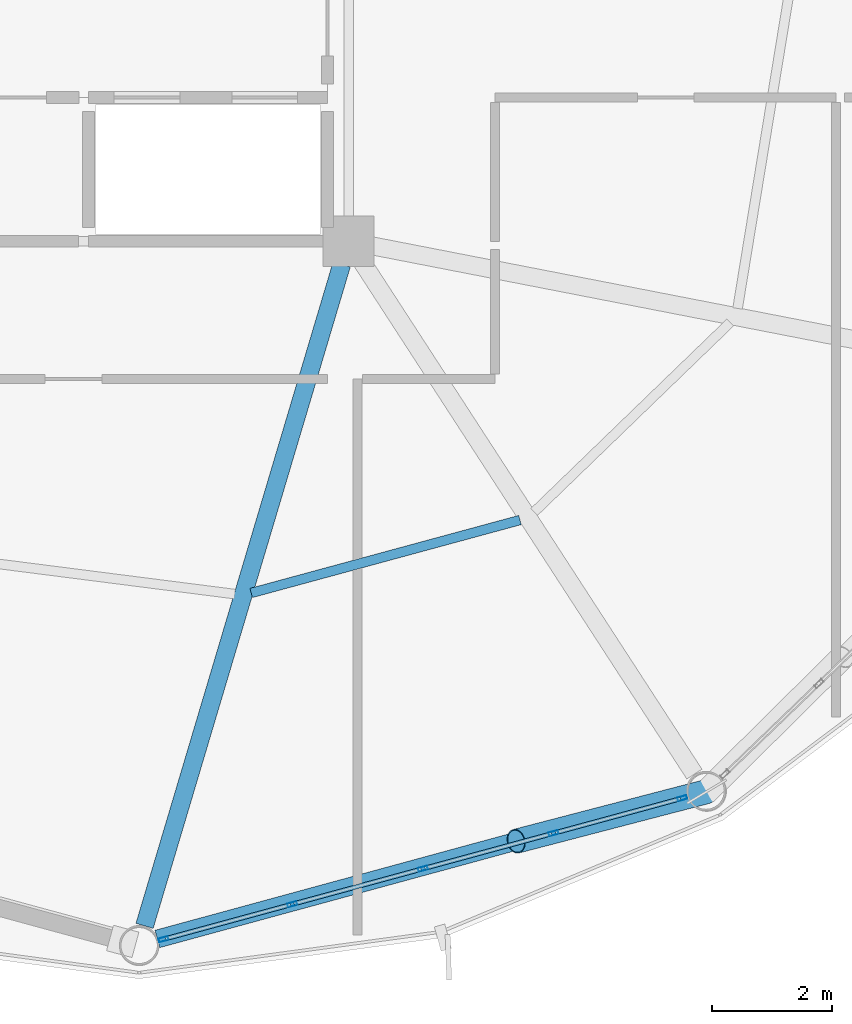
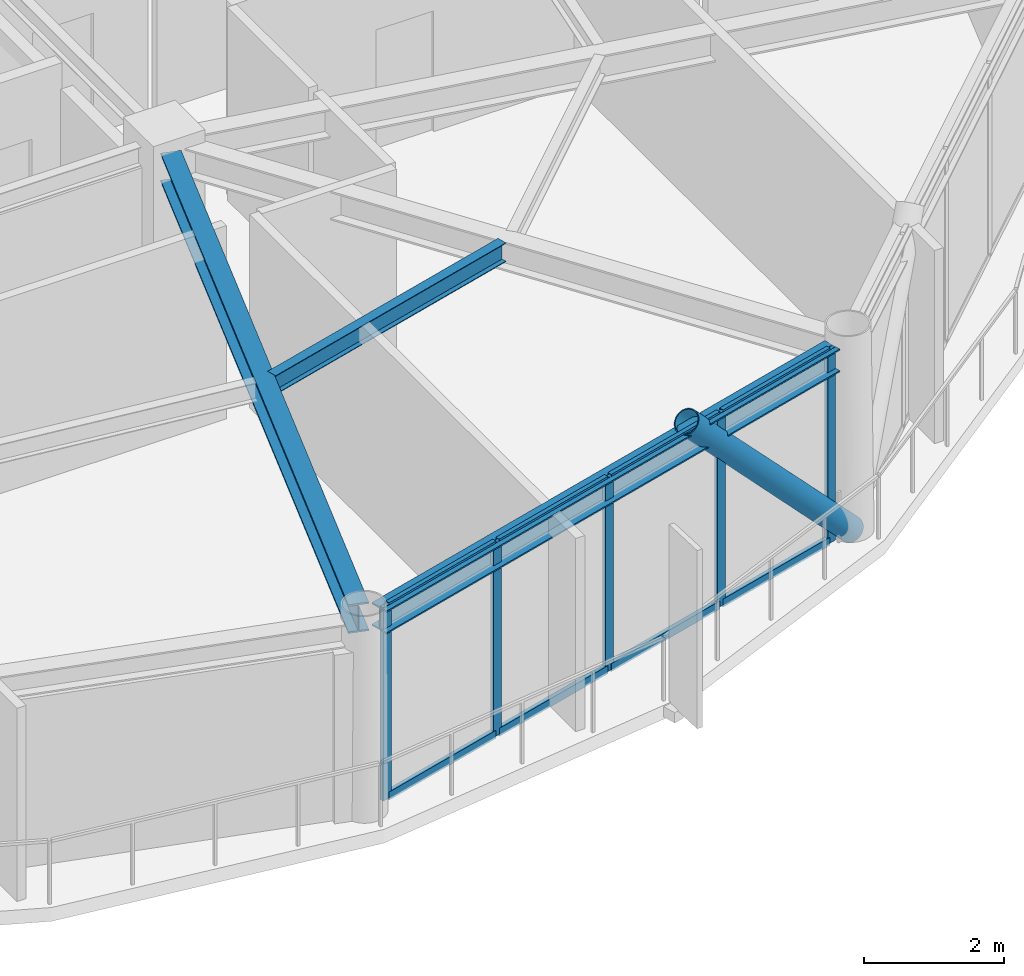
# One storey, part 7 of 28: 14 members, 3 beams, 1 element without a shape of its own.
"""IFC4 building model written with IfcOpenShell, lengths in metres."""

from ifc_helpers import new_model, si_unit, direction, frame, origin, origin_2d, place, context, subcontext, project, spatial, hollow_rectangle, hollow_circle, i_section, extrude, material, layer, layer_set, material_profile, profile_set, type_object, element, aggregate, save


model = new_model("IFC4")

# Units and contexts
model_context = context("Model", 3, precision=1e-05, world=origin(), true_north=direction((0.0, 1.0)))
body_context = subcontext(model_context, "Body", "Model", "MODEL_VIEW")
ifc_project = project(units=[si_unit("LENGTHUNIT", "METRE"), si_unit("AREAUNIT", "SQUARE_METRE"), si_unit("VOLUMEUNIT", "CUBIC_METRE"), si_unit("PLANEANGLEUNIT", "RADIAN"), si_unit("MASSUNIT", "GRAM", prefix="KILO")], contexts=[model_context])

# Site, building, storey
site_placement = place(None, origin())
site = spatial("IfcSite", under=ifc_project, at=site_placement, CompositionType="ELEMENT")
building_placement = place(site_placement, origin())
building = spatial("IfcBuilding", under=site, at=building_placement, Name="Varnakorn Sky Granary", CompositionType="ELEMENT")
storey_placement = place(building_placement, frame((0.0, 0.0, 214.800048828125)))
storey = spatial("IfcBuildingStorey", under=building, at=storey_placement, Name="L54", CompositionType="ELEMENT", Elevation=214.800048828125)

# Beams
ifc_material_1 = material(Name="Steel S355JR", Category="steel")
ifc_material_profile_1 = material_profile(ifc_material_1, i_section(OverallWidth=0.300048828125, OverallDepth=0.5, WebThickness=0.014404296875, FlangeThickness=0.028076171875, at=origin_2d()), Name="HE 500 B")
ifc_profile_set_1 = profile_set([ifc_material_profile_1], Name="Steel S355JR")
beam_type_1 = type_object("IfcBeamType", Name="BM-RAD-Z4", PredefinedType="BEAM", material=ifc_profile_set_1)
beam_1_placement = place(storey_placement, frame((8.234375, -6.988037109375, 3.10986328125), z_axis=(-0.2856172224, -0.958343780837, 0.0), x_axis=(0.958343780837, -0.2856172224, 0.0)))
element("IfcBeam", 1, at=beam_1_placement, inside=storey, type_object=beam_type_1, Name="Radial Floor Girder RG10 L54", PredefinedType="BEAM", context=body_context, shape_type="SweptSolid", body=[
    extrude(i_section(OverallWidth=0.300048828125, OverallDepth=0.5, WebThickness=0.014404296875, FlangeThickness=0.028076171875, at=origin_2d()), origin(), (0.0, 0.0, 1.0), 11.534423828125),
])
ifc_material_profile_2 = material_profile(ifc_material_1, i_section(OverallWidth=0.159912109375, OverallDepth=0.330078125, WebThickness=0.007568359375, FlangeThickness=0.011474609375, at=origin_2d()), Name="IPE 330")
ifc_profile_set_2 = profile_set([ifc_material_profile_2], Name="Steel S355JR")
beam_type_2 = type_object("IfcBeamType", Name="BM-SEC-Z4", PredefinedType="BEAM", material=ifc_profile_set_2)
beam_2_placement = place(storey_placement, frame((6.722412109375, -12.478515625, 3.195068359375), z_axis=(0.965088661336, 0.261923415831, 0.0), x_axis=(-0.261923415831, 0.965088661336, 0.0)))
element("IfcBeam", 2, at=beam_2_placement, inside=storey, type_object=beam_type_2, Name="Secondary Floor Chord Beam MSB10 L54", PredefinedType="BEAM", context=body_context, shape_type="SweptSolid", body=[
    extrude(i_section(OverallWidth=0.159912109375, OverallDepth=0.330078125, WebThickness=0.007568359375, FlangeThickness=0.011474609375, at=origin_2d()), origin(), (0.0, 0.0, 1.0), 4.655029296875),
])
ifc_material_profile_3 = material_profile(ifc_material_1, i_section(OverallWidth=0.300048828125, OverallDepth=0.39990234375, WebThickness=0.013427734375, FlangeThickness=0.02392578125, at=origin_2d()), Name="HE 400 B")
ifc_profile_set_3 = profile_set([ifc_material_profile_3], Name="Steel S355JR")
beam_type_3 = type_object("IfcBeamType", Name="BM-SPD-Z4", PredefinedType="SPANDREL", material=ifc_profile_set_3)
beam_3_placement = place(storey_placement, frame((5.15380859375, -18.26123046875, 3.159912109375), z_axis=(0.964843073533, 0.262826641449, 0.0), x_axis=(-0.262826641449, 0.964843073533, 0.0)))
element("IfcBeam", 3, at=beam_3_placement, inside=storey, type_object=beam_type_3, Name="Perimeter Spandrel Ring Beam RB10 L54", PredefinedType="SPANDREL", context=body_context, shape_type="SweptSolid", body=[
    extrude(i_section(OverallWidth=0.300048828125, OverallDepth=0.39990234375, WebThickness=0.013427734375, FlangeThickness=0.02392578125, at=origin_2d()), origin(), (0.0, 0.0, 1.0), 9.16552734375),
])

# Curtain wall, members
ifc_material_2 = material(Name="Anodised Bronze Aluminium Alloy 6063-T6", Category="aluminium")
ifc_layer = layer(ifc_material_2, 0.169921875, Name="Anodised Bronze Aluminium Alloy 6063-T6")
ifc_layer_set = layer_set([ifc_layer], Name="Anodised Bronze Aluminium Alloy 6063-T6")
curtain_wall_type = type_object("IfcCurtainWallType", Name="CW-LAB-1", PredefinedType="USERDEFINED", material=ifc_layer_set)
curtain_wall_placement = place(storey_placement, origin())
curtain_wall = element("IfcCurtainWall", 4, at=curtain_wall_placement, inside=storey, type_object=curtain_wall_type, Name="Unitised Curtain Wall CW5 CW-L54-B10", ObjectType="CURTAIN WALL", PredefinedType="USERDEFINED")
ifc_material_profile_4 = material_profile(ifc_material_2, hollow_rectangle(XDim=0.06494140625, YDim=0.159912109375, WallThickness=0.00341796875, at=origin_2d()), Name="ALU MULL 65x160")
ifc_profile_set_4 = profile_set([ifc_material_profile_4], Name="Anodised Bronze Aluminium Alloy 6063-T6")
member_type_1 = type_object("IfcMemberType", Name="CW-LAB-1-MULL", PredefinedType="MULLION", material=ifc_profile_set_4)
member_1_placement = place(storey_placement, frame((13.92724609375, -15.908935546875, 0.0), z_axis=(0.0, 0.0, 1.0), x_axis=(0.262380522882, -0.964964487021, 0.0)))
member_1 = element("IfcMember", 5, at=member_1_placement, type_object=member_type_1, Name="CW5 mullion 1", PredefinedType="MULLION", context=body_context, shape_type="SweptSolid", body=[
    extrude(hollow_rectangle(XDim=0.06494140625, YDim=0.159912109375, WallThickness=0.00341796875, at=origin_2d()), origin(), (0.0, 0.0, 1.0), 3.35986328125),
])
member_2_placement = place(storey_placement, frame((11.775634765625, -16.493896484375, 0.0), z_axis=(0.0, 0.0, 1.0), x_axis=(0.262380522882, -0.964964487021, 0.0)))
member_2 = element("IfcMember", 6, at=member_2_placement, type_object=member_type_1, Name="CW5 mullion 2", PredefinedType="MULLION", context=body_context, shape_type="SweptSolid", body=[
    extrude(hollow_rectangle(XDim=0.06494140625, YDim=0.159912109375, WallThickness=0.00341796875, at=origin_2d()), origin(), (0.0, 0.0, 1.0), 3.35986328125),
])
member_3_placement = place(storey_placement, frame((9.592529296875, -17.08740234375, 0.0), z_axis=(0.0, 0.0, 1.0), x_axis=(0.262380522882, -0.964964487021, 0.0)))
member_3 = element("IfcMember", 7, at=member_3_placement, type_object=member_type_1, Name="CW5 mullion 3", PredefinedType="MULLION", context=body_context, shape_type="SweptSolid", body=[
    extrude(hollow_rectangle(XDim=0.06494140625, YDim=0.159912109375, WallThickness=0.00341796875, at=origin_2d()), origin(), (0.0, 0.0, 1.0), 3.35986328125),
])
member_4_placement = place(storey_placement, frame((7.409423828125, -17.68115234375, 0.0), z_axis=(0.0, 0.0, 1.0), x_axis=(0.262380522882, -0.964964487021, 0.0)))
member_4 = element("IfcMember", 8, at=member_4_placement, type_object=member_type_1, Name="CW5 mullion 4", PredefinedType="MULLION", context=body_context, shape_type="SweptSolid", body=[
    extrude(hollow_rectangle(XDim=0.06494140625, YDim=0.159912109375, WallThickness=0.00341796875, at=origin_2d()), origin(), (0.0, 0.0, 1.0), 3.35986328125),
])
member_5_placement = place(storey_placement, frame((5.257568359375, -18.26611328125, 0.0), z_axis=(0.0, 0.0, 1.0), x_axis=(0.262380522882, -0.964964487021, 0.0)))
member_5 = element("IfcMember", 9, at=member_5_placement, type_object=member_type_1, Name="CW5 mullion 5", PredefinedType="MULLION", context=body_context, shape_type="SweptSolid", body=[
    extrude(hollow_rectangle(XDim=0.06494140625, YDim=0.159912109375, WallThickness=0.00341796875, at=origin_2d()), origin(), (0.0, 0.0, 1.0), 3.35986328125),
])
ifc_material_profile_5 = material_profile(ifc_material_2, hollow_rectangle(XDim=0.070068359375, YDim=0.139892578125, WallThickness=0.00341796875, at=origin_2d()), Name="ALU TRAN 70x140")
ifc_profile_set_5 = profile_set([ifc_material_profile_5], Name="Anodised Bronze Aluminium Alloy 6063-T6")
member_type_2 = type_object("IfcMemberType", Name="CW-LAB-1-TRAN", PredefinedType="USERDEFINED", material=ifc_profile_set_5)
member_6_placement = place(storey_placement, frame((13.89599609375, -15.917236328125, 0.034912109375), z_axis=(-0.964956135961, -0.262411233888, 0.0), x_axis=(0.262411233888, -0.964956135961, 0.0)))
member_6 = element("IfcMember", 10, at=member_6_placement, type_object=member_type_2, Name="CW5 transom 1.1", ObjectType="TRANSOM", PredefinedType="USERDEFINED", context=body_context, shape_type="SweptSolid", body=[
    extrude(hollow_rectangle(XDim=0.070068359375, YDim=0.139892578125, WallThickness=0.00341796875, at=origin_2d()), origin(), (0.0, 0.0, 1.0), 2.1650390625),
])
member_7_placement = place(storey_placement, frame((13.89599609375, -15.917236328125, 3.324951171875), z_axis=(-0.964956135961, -0.262411233888, 0.0), x_axis=(0.262411233888, -0.964956135961, 0.0)))
member_7 = element("IfcMember", 11, at=member_7_placement, type_object=member_type_2, Name="CW5 transom 1.2", ObjectType="TRANSOM", PredefinedType="USERDEFINED", context=body_context, shape_type="SweptSolid", body=[
    extrude(hollow_rectangle(XDim=0.070068359375, YDim=0.139892578125, WallThickness=0.00341796875, at=origin_2d()), origin(), (0.0, 0.0, 1.0), 2.1650390625),
])
member_8_placement = place(storey_placement, frame((11.744140625, -16.50244140625, 0.034912109375), z_axis=(-0.964978877916, -0.262327591337, 0.0), x_axis=(0.262327591337, -0.964978877916, 0.0)))
member_8 = element("IfcMember", 12, at=member_8_placement, type_object=member_type_2, Name="CW5 transom 2.1", ObjectType="TRANSOM", PredefinedType="USERDEFINED", context=body_context, shape_type="SweptSolid", body=[
    extrude(hollow_rectangle(XDim=0.070068359375, YDim=0.139892578125, WallThickness=0.00341796875, at=origin_2d()), origin(), (0.0, 0.0, 1.0), 2.197265625),
])
member_9_placement = place(storey_placement, frame((11.744140625, -16.50244140625, 3.324951171875), z_axis=(-0.964978877916, -0.262327591337, 0.0), x_axis=(0.262327591337, -0.964978877916, 0.0)))
member_9 = element("IfcMember", 13, at=member_9_placement, type_object=member_type_2, Name="CW5 transom 2.2", ObjectType="TRANSOM", PredefinedType="USERDEFINED", context=body_context, shape_type="SweptSolid", body=[
    extrude(hollow_rectangle(XDim=0.070068359375, YDim=0.139892578125, WallThickness=0.00341796875, at=origin_2d()), origin(), (0.0, 0.0, 1.0), 2.197265625),
])
member_10_placement = place(storey_placement, frame((9.56103515625, -17.095947265625, 0.034912109375), z_axis=(-0.964950747073, -0.262431049463, 0.0), x_axis=(0.262431049463, -0.964950747073, 0.0)))
member_10 = element("IfcMember", 14, at=member_10_placement, type_object=member_type_2, Name="CW5 transom 3.1", ObjectType="TRANSOM", PredefinedType="USERDEFINED", context=body_context, shape_type="SweptSolid", body=[
    extrude(hollow_rectangle(XDim=0.070068359375, YDim=0.139892578125, WallThickness=0.00341796875, at=origin_2d()), origin(), (0.0, 0.0, 1.0), 2.197265625),
])
member_11_placement = place(storey_placement, frame((9.56103515625, -17.095947265625, 3.324951171875), z_axis=(-0.964950747073, -0.262431049463, 0.0), x_axis=(0.262431049463, -0.964950747073, 0.0)))
member_11 = element("IfcMember", 15, at=member_11_placement, type_object=member_type_2, Name="CW5 transom 3.2", ObjectType="TRANSOM", PredefinedType="USERDEFINED", context=body_context, shape_type="SweptSolid", body=[
    extrude(hollow_rectangle(XDim=0.070068359375, YDim=0.139892578125, WallThickness=0.00341796875, at=origin_2d()), origin(), (0.0, 0.0, 1.0), 2.197265625),
])
member_12_placement = place(storey_placement, frame((7.3779296875, -17.689697265625, 0.034912109375), z_axis=(-0.964976925238, -0.262334774206, 0.0), x_axis=(0.262334774206, -0.964976925238, 0.0)))
member_12 = element("IfcMember", 16, at=member_12_placement, type_object=member_type_2, Name="CW5 transom 4.1", ObjectType="TRANSOM", PredefinedType="USERDEFINED", context=body_context, shape_type="SweptSolid", body=[
    extrude(hollow_rectangle(XDim=0.070068359375, YDim=0.139892578125, WallThickness=0.00341796875, at=origin_2d()), origin(), (0.0, 0.0, 1.0), 2.164794921875),
])
member_13_placement = place(storey_placement, frame((7.3779296875, -17.689697265625, 3.324951171875), z_axis=(-0.964976925238, -0.262334774206, 0.0), x_axis=(0.262334774206, -0.964976925238, 0.0)))
member_13 = element("IfcMember", 17, at=member_13_placement, type_object=member_type_2, Name="CW5 transom 4.2", ObjectType="TRANSOM", PredefinedType="USERDEFINED", context=body_context, shape_type="SweptSolid", body=[
    extrude(hollow_rectangle(XDim=0.070068359375, YDim=0.139892578125, WallThickness=0.00341796875, at=origin_2d()), origin(), (0.0, 0.0, 1.0), 2.164794921875),
])
aggregate(curtain_wall, [member_1, member_2, member_3, member_4, member_5, member_6, member_7, member_8, member_9, member_10, member_11, member_12, member_13])

# Member
ifc_material_3 = material(Name="Steel S460M", Category="steel")
ifc_material_profile_6 = material_profile(ifc_material_3, hollow_circle(Radius=0.203125, WallThickness=0.01611328125, at=origin_2d()), Name="CHS 406.4x16")
ifc_profile_set_6 = profile_set([ifc_material_profile_6], Name="Steel S460M")
member_type_3 = type_object("IfcMemberType", Name="MB-DIAG-T4", PredefinedType="BRACE", material=ifc_profile_set_6)
member_14_placement = place(storey_placement, frame((14.3349609375, -15.798095703125, 0.0), z_axis=(-0.663859802554, -0.172950671554, 0.727583828683), x_axis=(0.252107778306, -0.967699161991, 0.0)))
element("IfcMember", 18, at=member_14_placement, inside=storey, type_object=member_type_3, Name="Perimeter CHS Diagrid Brace DG10 L54", PredefinedType="BRACE", context=body_context, shape_type="SweptSolid", body=[
    extrude(hollow_circle(Radius=0.203125, WallThickness=0.01611328125, at=origin_2d()), origin(), (0.0, 0.0, 1.0), 4.796630859375),
])

save(model, "model.ifc")
